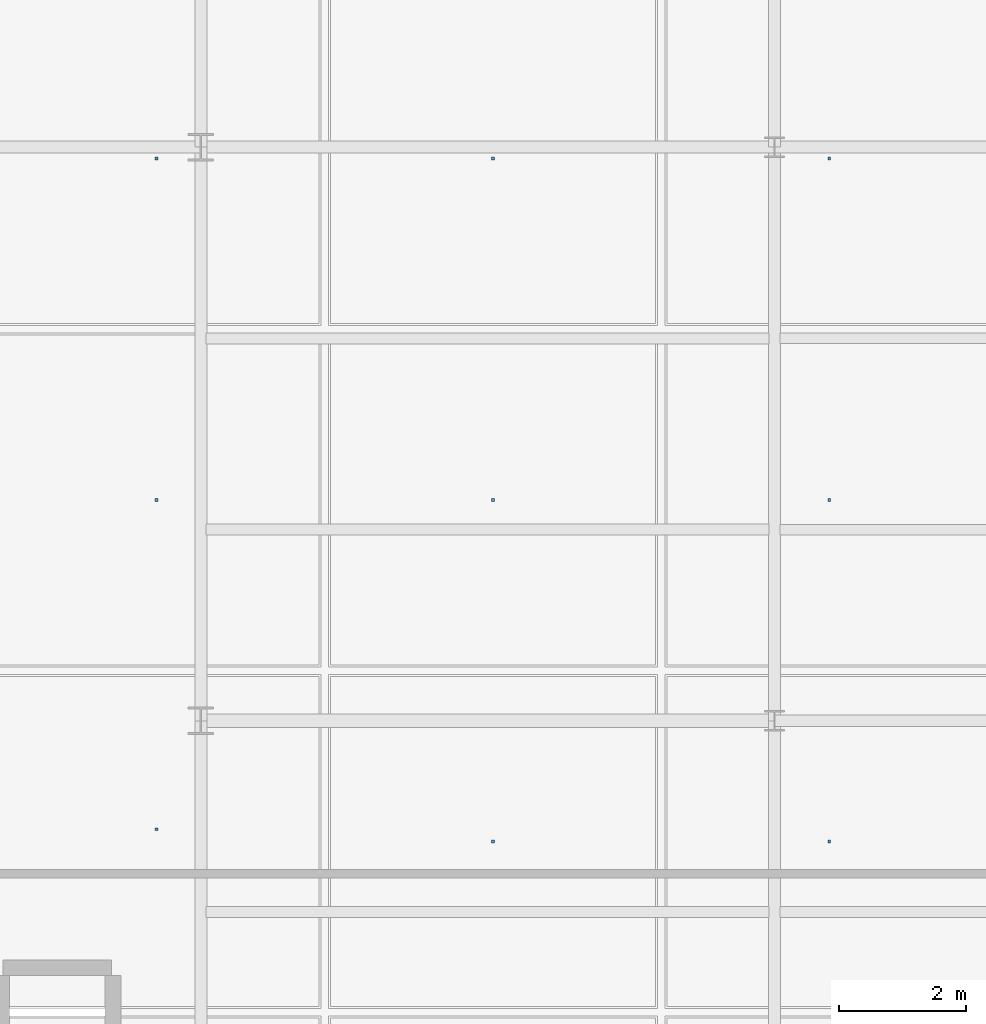
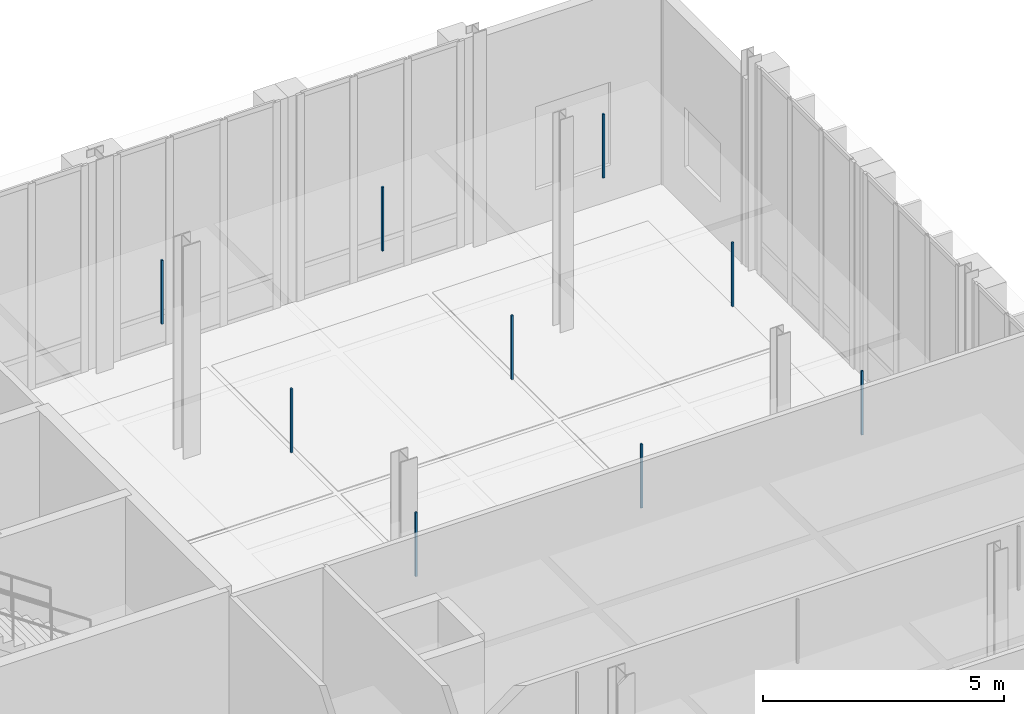
# One storey, part 160 of 180: 9 discrete accessories.
"""IFC4 building model written with IfcOpenShell, lengths in metres."""

import ifcopenshell
import ifcopenshell.guid

model = None  # the IFC model being written
_history = None  # IfcOwnerHistory: only IFC2X3 demands one
_inside = {}  # id of a spatial element -> (the spatial element, [elements in it])
_under = {}  # id of a project, library or spatial element -> (it, [spatial elements below it])
_declared = {}  # id of a project -> (the project, [libraries it declares])
_typed = {}  # id of a type object -> (the type object, [elements of that type])
_made_of = {}  # id of a material, layer set ... -> (it, [elements and type objects made of it])


def new_model(schema):
    """Start an empty IFC model of exactly this schema.

    Asked for "IFC4X3", IfcOpenShell would pick the latest addendum, in which some entities
    have other attributes; the version numbers below select the first issue.
    IFC2X3 requires an IfcOwnerHistory on every rooted entity: one is made here for all.
    """
    global model, _history
    if schema == "IFC4X3":
        model = ifcopenshell.file(schema_version=(4, 3, 0, 0))
    else:
        model = ifcopenshell.file(schema=schema)
    _inside.clear()
    _under.clear()
    _declared.clear()
    _typed.clear()
    _made_of.clear()
    _history = None
    if model.schema == "IFC2X3":
        org = make("IfcOrganization", Name="unknown")
        user = make(
            "IfcPersonAndOrganization",
            ThePerson=make("IfcPerson", FamilyName="unknown"),
            TheOrganization=org,
        )
        app = make(
            "IfcApplication",
            ApplicationDeveloper=org,
            Version="unknown",
            ApplicationFullName="unknown",
            ApplicationIdentifier="unknown",
        )
        _history = make(
            "IfcOwnerHistory",
            OwningUser=user,
            OwningApplication=app,
            ChangeAction="ADDED",
            CreationDate=0,
        )
    return model


def make(cls, **values):
    """One entity of the class cls with the attributes given. An attribute that is None is left unset."""
    return model.create_entity(
        cls, **{name: value for name, value in values.items() if value is not None}
    )


def rooted(cls, **values):
    """An entity with a GlobalId (a new one), such as an element, a storey or a relation."""
    return make(cls, GlobalId=ifcopenshell.guid.new(), OwnerHistory=_history, **values)


def si_unit(unit_type, name, prefix=None):
    """IfcSIUnit, for example si_unit("LENGTHUNIT", "METRE", prefix="MILLI")."""
    return make("IfcSIUnit", UnitType=unit_type, Prefix=prefix, Name=name)


def assignment(units):
    """IfcUnitAssignment: the units of a project."""
    return None if units is None else make("IfcUnitAssignment", Units=units)


def point(xyz):
    """IfcCartesianPoint."""
    return None if xyz is None else make("IfcCartesianPoint", Coordinates=xyz)


def direction(xyz):
    """IfcDirection."""
    return None if xyz is None else make("IfcDirection", DirectionRatios=xyz)


def frame(location, z_axis=None, x_axis=None):
    """IfcAxis2Placement3D, a coordinate frame: its origin and axes. An axis left out is left unset."""
    return make(
        "IfcAxis2Placement3D",
        Location=point(location),
        Axis=direction(z_axis),
        RefDirection=direction(x_axis),
    )


def frame_2d(location, x_axis=None):
    """IfcAxis2Placement2D, a coordinate frame in the plane: its origin and x axis."""
    return make(
        "IfcAxis2Placement2D", Location=point(location), RefDirection=direction(x_axis)
    )


def origin():
    """The frame at (0, 0, 0) with its axes left unset."""
    return frame((0.0, 0.0, 0.0))


def origin_2d():
    """The frame at (0, 0) in the plane with its x axis left unset."""
    return frame_2d((0.0, 0.0))


def place(relative_to, where):
    """IfcLocalPlacement: puts the frame where relative to a parent placement (None: the world)."""
    return make(
        "IfcLocalPlacement", PlacementRelTo=relative_to, RelativePlacement=where
    )


def context(
    kind, dimensions, precision=None, world=None, true_north=None, identifier=None
):
    """IfcGeometricRepresentationContext, for example the 3D "Model" context."""
    return make(
        "IfcGeometricRepresentationContext",
        ContextIdentifier=identifier,
        ContextType=kind,
        CoordinateSpaceDimension=dimensions,
        Precision=precision,
        WorldCoordinateSystem=world,
        TrueNorth=true_north,
    )


def subcontext(parent, identifier, kind, view, scale=None):
    """IfcGeometricRepresentationSubContext, for example "Body" below "Model"."""
    return make(
        "IfcGeometricRepresentationSubContext",
        ContextIdentifier=identifier,
        ContextType=kind,
        ParentContext=parent,
        TargetScale=scale,
        TargetView=view,
    )


def project(units=None, contexts=None):
    """IfcProject with its units and contexts."""
    return rooted(
        "IfcProject",
        Name="project",
        RepresentationContexts=contexts,
        UnitsInContext=assignment(units),
    )


def spatial(cls, under=None, at=None, **own):
    """A site, building, storey or space (cls), placed at a placement, below another one or the project."""
    s = rooted(cls, ObjectPlacement=at, **own)
    if under is not None:
        _under.setdefault(under.id(), (under, []))[1].append(s)
    return s


def profile(cls, at=None, kind="AREA", **sizes):
    """A parametric profile (cls). Its sizes go by their IFC names, for example OverallWidth=200.0."""
    return make(cls, ProfileType=kind, Position=at, **sizes)


def rectangle(**sizes):
    """IfcRectangleProfileDef."""
    return profile("IfcRectangleProfileDef", **sizes)


def extrude(swept, where, along, depth):
    """IfcExtrudedAreaSolid: the profile swept, set in the frame where, extruded along a direction by depth."""
    return make(
        "IfcExtrudedAreaSolid",
        SweptArea=swept,
        Position=where,
        ExtrudedDirection=direction(along),
        Depth=depth,
    )


def shape(context_of_items, identifier, shape_type, items):
    """IfcShapeRepresentation: the items that make up one representation, for example the "Body"."""
    return make(
        "IfcShapeRepresentation",
        ContextOfItems=context_of_items,
        RepresentationIdentifier=identifier,
        RepresentationType=shape_type,
        Items=items,
    )


def material(Name=None, Category=None):
    """IfcMaterial."""
    return make("IfcMaterial", Name=Name, Category=Category)


def made_of(thing, what):
    """Note that an element or type object is made of a material, layer set ...; save() writes the relation."""
    if what is not None:
        _made_of.setdefault(what.id(), (what, []))[1].append(thing)
    return thing


def type_object(cls, material=None, **own):
    """A type object (cls), such as IfcWallType, which elements share."""
    return made_of(rooted(cls, **own), material)


def element(
    cls,
    number,
    at=None,
    inside=None,
    cuts=None,
    type_object=None,
    material=None,
    context=None,
    identifier="Body",
    shape_type=None,
    held_by="IfcProductDefinitionShape",
    body=None,
    shapes=None,
    **own,
):
    """One element of the class cls, such as IfcWall. Its Tag is "e" and its number.

    at: its placement. inside: the storey or other place that contains it. cuts: it is an
    opening in that element (IfcRelVoidsElement). A single representation is given by context,
    identifier, shape_type and body (its items); several are given by shapes. held_by: the class
    of the entity that holds the representations. save() writes the other relations.
    """
    e = rooted(cls, Tag="e%d" % number, ObjectPlacement=at, **own)
    if body is not None:
        shapes = [shape(context, identifier, shape_type, body)]
    if shapes is not None:
        e.Representation = make(held_by, Representations=shapes)
    if inside is not None:
        _inside.setdefault(inside.id(), (inside, []))[1].append(e)
    if cuts is not None:
        rooted(
            "IfcRelVoidsElement", RelatingBuildingElement=cuts, RelatedOpeningElement=e
        )
    if type_object is not None:
        _typed.setdefault(type_object.id(), (type_object, []))[1].append(e)
    return made_of(e, material)


def aggregate(whole, parts):
    """IfcRelAggregates: a whole, such as a stair, and the parts it consists of."""
    return rooted("IfcRelAggregates", RelatingObject=whole, RelatedObjects=parts)


def save(model, path):
    """Write the relations noted so far, then the file.

    IfcRelAggregates (storeys below a building ...), IfcRelContainedInSpatialStructure (elements
    in a storey), IfcRelDefinesByType, IfcRelAssociatesMaterial and IfcRelDeclares: one each for
    every whole, place, type object, material and project.
    """
    for whole, parts in _under.values():
        aggregate(whole, parts)
    for where, things in _inside.values():
        rooted(
            "IfcRelContainedInSpatialStructure",
            RelatedElements=things,
            RelatingStructure=where,
        )
    for kind, things in _typed.values():
        rooted("IfcRelDefinesByType", RelatedObjects=things, RelatingType=kind)
    for what, things in _made_of.values():
        rooted("IfcRelAssociatesMaterial", RelatedObjects=things, RelatingMaterial=what)
    for by, libraries in _declared.values():
        rooted("IfcRelDeclares", RelatingContext=by, RelatedDefinitions=libraries)
    model.write(path)


model = new_model("IFC4")

# Units and contexts
model_context = context("Model", 3, precision=1e-05, world=origin(), true_north=direction((0.0, 1.0)))
body_context = subcontext(model_context, "Body", "Model", "MODEL_VIEW")
ifc_project = project(units=[si_unit("LENGTHUNIT", "METRE"), si_unit("AREAUNIT", "SQUARE_METRE"), si_unit("VOLUMEUNIT", "CUBIC_METRE"), si_unit("PLANEANGLEUNIT", "RADIAN"), si_unit("MASSUNIT", "GRAM", prefix="KILO"), si_unit("THERMODYNAMICTEMPERATUREUNIT", "KELVIN"), si_unit("POWERUNIT", "WATT")], contexts=[model_context])

# Site, building, storey
site_placement = place(None, origin())
site = spatial("IfcSite", under=ifc_project, at=site_placement, CompositionType="ELEMENT")
building_placement = place(site_placement, origin())
building = spatial("IfcBuilding", under=site, at=building_placement, Name="Tallowbark Science Centre", CompositionType="ELEMENT")
storey_placement = place(building_placement, origin())
storey = spatial("IfcBuildingStorey", under=building, at=storey_placement, Name="L00", CompositionType="ELEMENT", Elevation=0.0)

# Discrete accessories
ifc_material = material(Name="Galvanised Steel Grade C350L0 (350 MPa)", Category="steel")
discrete_accessory_type = type_object("IfcDiscreteAccessoryType", Name="ACC-CLG-HNG", PredefinedType="BRACKET", material=ifc_material)
for number, where, z_axis, x_axis, name in (
    (1, (147.8056640625, 97.2978515625, 3.60595703125), (0.0, 0.0, 1.0), (1.0, 0.0, 0.0), "Ceiling Hanger Bracket L00-448"),
    (2, (147.8056640625, 102.46435546875, 3.60595703125), (0.0, 0.0, 1.0), (1.0, 0.0, 0.0), "Ceiling Hanger Bracket L00-449"),
    (3, (147.8056640625, 107.8212890625, 3.60595703125), (0.0, 0.0, 1.0), (1.0, 0.0, 0.0), "Ceiling Hanger Bracket L00-450"),
    (4, (153.083251953125, 97.107177734375, 3.60595703125), (0.0, 0.0, 1.0), (1.0, 0.0, 0.0), "Ceiling Hanger Bracket L00-455"),
    (5, (153.083251953125, 102.46435546875, 3.60595703125), (0.0, 0.0, 1.0), (1.0, 0.0, 0.0), "Ceiling Hanger Bracket L00-456"),
    (6, (153.083251953125, 107.8212890625, 3.60595703125), (0.0, 0.0, 1.0), (1.0, 0.0, 0.0), "Ceiling Hanger Bracket L00-457"),
    (7, (158.361083984375, 97.107177734375, 3.60595703125), (0.0, 0.0, 1.0), (1.0, 0.0, 0.0), "Ceiling Hanger Bracket L00-462"),
    (8, (158.361083984375, 102.46435546875, 3.60595703125), (0.0, 0.0, 1.0), (1.0, 0.0, 0.0), "Ceiling Hanger Bracket L00-463"),
    (9, (158.361083984375, 107.8212890625, 3.60595703125), (0.0, 0.0, 1.0), (1.0, 0.0, 0.0), "Ceiling Hanger Bracket L00-464"),
):
    element("IfcDiscreteAccessory", number, at=place(storey_placement, frame(where, z_axis=z_axis, x_axis=x_axis)), inside=storey, type_object=discrete_accessory_type, Name=name, PredefinedType="BRACKET", context=body_context, shape_type="SweptSolid", body=[
        extrude(rectangle(XDim=0.044921875, YDim=0.044921875, at=origin_2d()), origin(), (0.0, 0.0, 1.0), 1.616943359375),
    ])

save(model, "model.ifc")
